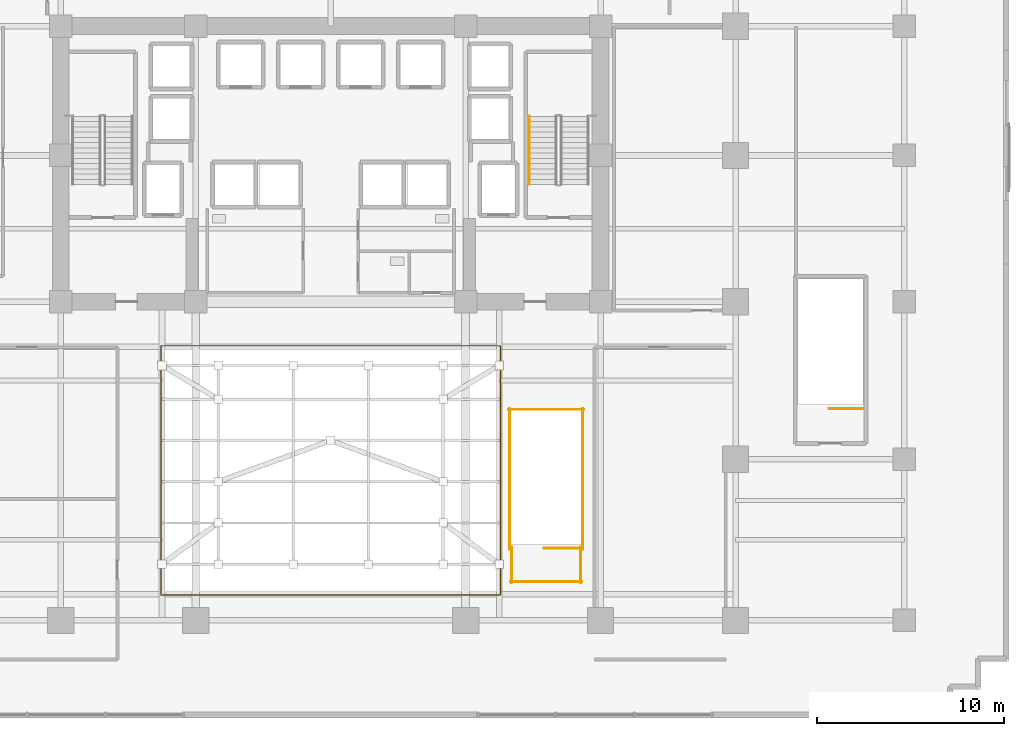
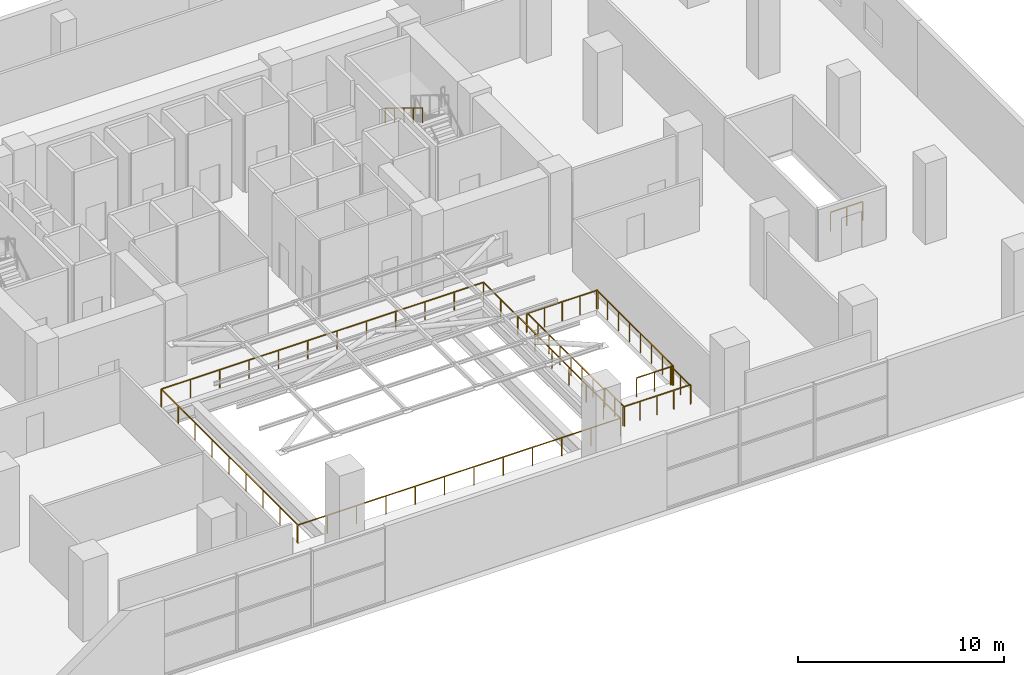
# One storey, part 20 of 22: 10 railings.
"""IFC4 building model written with IfcOpenShell, lengths in metres."""

from ifc_helpers import new_model, si_unit, direction, frame, origin, origin_2d, place, context, subcontext, project, spatial, rectangle, extrude, material, type_object, element, save


model = new_model("IFC4")

# Units and contexts
model_context = context("Model", 3, precision=1e-05, world=origin(), true_north=direction((0.0, 1.0)))
body_context = subcontext(model_context, "Body", "Model", "MODEL_VIEW")
ifc_project = project(units=[si_unit("LENGTHUNIT", "METRE"), si_unit("AREAUNIT", "SQUARE_METRE"), si_unit("VOLUMEUNIT", "CUBIC_METRE"), si_unit("PLANEANGLEUNIT", "RADIAN"), si_unit("MASSUNIT", "GRAM", prefix="KILO")], contexts=[model_context])

# Site, building, storey
site_placement = place(None, origin())
site = spatial("IfcSite", under=ifc_project, at=site_placement, CompositionType="ELEMENT")
building_placement = place(site_placement, origin())
building = spatial("IfcBuilding", under=site, at=building_placement, Name="Zarnakvel Exchange Tower", CompositionType="ELEMENT")
storey_placement = place(building_placement, frame((0.0, 0.0, 22.60009765625)))
storey = spatial("IfcBuildingStorey", under=building, at=storey_placement, Name="L05", CompositionType="ELEMENT", Elevation=22.60009765625)

# Railings
ifc_material_1 = material(Name="Architectural Bronze Anodised Aluminium", Category="aluminium")
railing_type_1 = type_object("IfcRailingType", Name="GR-03", PredefinedType="GUARDRAIL", material=ifc_material_1)
railing_1_placement = place(storey_placement, frame((-9.050048828125, -16.85009765625, 0.0)))
element("IfcRailing", 1, at=railing_1_placement, inside=storey, type_object=railing_type_1, Name="L05 Atrium Void Perimeter Balustrade", PredefinedType="GUARDRAIL", context=body_context, shape_type="SweptSolid", body=[
    extrude(rectangle(XDim=0.048095703125, YDim=0.048095703125, at=origin_2d()), frame((0.0, 0.0, 1.076171875), z_axis=(1.0, 0.0, 0.0), x_axis=(0.0, 1.0, 0.0)), (0.0, 0.0, 1.0), 18.10009765625),
    extrude(rectangle(XDim=0.048095703125, YDim=0.048095703125, at=origin_2d()), frame((18.10009765625, 0.0, 1.076171875), z_axis=(0.0, 1.0, 0.0), x_axis=(-1.0, 0.0, 0.0)), (0.0, 0.0, 1.0), 13.300048828125),
    extrude(rectangle(XDim=0.048095703125, YDim=0.048095703125, at=origin_2d()), frame((18.10009765625, 13.300048828125, 1.076171875), z_axis=(-1.0, 0.0, 0.0), x_axis=(0.0, -1.0, 0.0)), (0.0, 0.0, 1.0), 18.10009765625),
    extrude(rectangle(XDim=0.048095703125, YDim=0.048095703125, at=origin_2d()), frame((0.0, 13.300048828125, 1.076171875), z_axis=(0.0, -1.0, 0.0), x_axis=(1.0, 0.0, 0.0)), (0.0, 0.0, 1.0), 13.219970703125),
    extrude(rectangle(XDim=0.0419921875, YDim=0.0419921875, at=origin_2d()), origin(), (0.0, 0.0, 1.0), 1.052001953125),
    extrude(rectangle(XDim=0.0419921875, YDim=0.0419921875, at=origin_2d()), frame((1.6455078125, 0.0, 0.0)), (0.0, 0.0, 1.0), 1.052001953125),
    extrude(rectangle(XDim=0.0419921875, YDim=0.0419921875, at=origin_2d()), frame((3.291015625, 0.0, 0.0)), (0.0, 0.0, 1.0), 1.052001953125),
    extrude(rectangle(XDim=0.0419921875, YDim=0.0419921875, at=origin_2d()), frame((4.936279296875, 0.0, 0.0)), (0.0, 0.0, 1.0), 1.052001953125),
    extrude(rectangle(XDim=0.0419921875, YDim=0.0419921875, at=origin_2d()), frame((6.581787109375, 0.0, 0.0)), (0.0, 0.0, 1.0), 1.052001953125),
    extrude(rectangle(XDim=0.0419921875, YDim=0.0419921875, at=origin_2d()), frame((8.227294921875, 0.0, 0.0)), (0.0, 0.0, 1.0), 1.052001953125),
    extrude(rectangle(XDim=0.0419921875, YDim=0.0419921875, at=origin_2d()), frame((9.872802734375, 0.0, 0.0)), (0.0, 0.0, 1.0), 1.052001953125),
    extrude(rectangle(XDim=0.0419921875, YDim=0.0419921875, at=origin_2d()), frame((11.518310546875, 0.0, 0.0)), (0.0, 0.0, 1.0), 1.052001953125),
    extrude(rectangle(XDim=0.0419921875, YDim=0.0419921875, at=origin_2d()), frame((13.163818359375, 0.0, 0.0)), (0.0, 0.0, 1.0), 1.052001953125),
    extrude(rectangle(XDim=0.0419921875, YDim=0.0419921875, at=origin_2d()), frame((14.80908203125, 0.0, 0.0)), (0.0, 0.0, 1.0), 1.052001953125),
    extrude(rectangle(XDim=0.0419921875, YDim=0.0419921875, at=origin_2d()), frame((16.45458984375, 0.0, 0.0)), (0.0, 0.0, 1.0), 1.052001953125),
    extrude(rectangle(XDim=0.0419921875, YDim=0.0419921875, at=origin_2d()), frame((18.10009765625, 0.0, 0.0)), (0.0, 0.0, 1.0), 1.052001953125),
    extrude(rectangle(XDim=0.0419921875, YDim=0.0419921875, at=origin_2d()), frame((18.10009765625, 1.66259765625, 0.0)), (0.0, 0.0, 1.0), 1.052001953125),
    extrude(rectangle(XDim=0.0419921875, YDim=0.0419921875, at=origin_2d()), frame((18.10009765625, 3.324951171875, 0.0)), (0.0, 0.0, 1.0), 1.052001953125),
    extrude(rectangle(XDim=0.0419921875, YDim=0.0419921875, at=origin_2d()), frame((18.10009765625, 4.987548828125, 0.0)), (0.0, 0.0, 1.0), 1.052001953125),
    extrude(rectangle(XDim=0.0419921875, YDim=0.0419921875, at=origin_2d()), frame((18.10009765625, 6.64990234375, 0.0)), (0.0, 0.0, 1.0), 1.052001953125),
    extrude(rectangle(XDim=0.0419921875, YDim=0.0419921875, at=origin_2d()), frame((18.10009765625, 8.3125, 0.0)), (0.0, 0.0, 1.0), 1.052001953125),
    extrude(rectangle(XDim=0.0419921875, YDim=0.0419921875, at=origin_2d()), frame((18.10009765625, 9.97509765625, 0.0)), (0.0, 0.0, 1.0), 1.052001953125),
    extrude(rectangle(XDim=0.0419921875, YDim=0.0419921875, at=origin_2d()), frame((18.10009765625, 11.637451171875, 0.0)), (0.0, 0.0, 1.0), 1.052001953125),
    extrude(rectangle(XDim=0.0419921875, YDim=0.0419921875, at=origin_2d()), frame((18.10009765625, 13.300048828125, 0.0)), (0.0, 0.0, 1.0), 1.052001953125),
    extrude(rectangle(XDim=0.0419921875, YDim=0.0419921875, at=origin_2d()), frame((16.45458984375, 13.300048828125, 0.0)), (0.0, 0.0, 1.0), 1.052001953125),
    extrude(rectangle(XDim=0.0419921875, YDim=0.0419921875, at=origin_2d()), frame((14.80908203125, 13.300048828125, 0.0)), (0.0, 0.0, 1.0), 1.052001953125),
    extrude(rectangle(XDim=0.0419921875, YDim=0.0419921875, at=origin_2d()), frame((13.163818359375, 13.300048828125, 0.0)), (0.0, 0.0, 1.0), 1.052001953125),
    extrude(rectangle(XDim=0.0419921875, YDim=0.0419921875, at=origin_2d()), frame((11.518310546875, 13.300048828125, 0.0)), (0.0, 0.0, 1.0), 1.052001953125),
    extrude(rectangle(XDim=0.0419921875, YDim=0.0419921875, at=origin_2d()), frame((9.872802734375, 13.300048828125, 0.0)), (0.0, 0.0, 1.0), 1.052001953125),
    extrude(rectangle(XDim=0.0419921875, YDim=0.0419921875, at=origin_2d()), frame((8.227294921875, 13.300048828125, 0.0)), (0.0, 0.0, 1.0), 1.052001953125),
    extrude(rectangle(XDim=0.0419921875, YDim=0.0419921875, at=origin_2d()), frame((6.581787109375, 13.300048828125, 0.0)), (0.0, 0.0, 1.0), 1.052001953125),
    extrude(rectangle(XDim=0.0419921875, YDim=0.0419921875, at=origin_2d()), frame((4.936279296875, 13.300048828125, 0.0)), (0.0, 0.0, 1.0), 1.052001953125),
    extrude(rectangle(XDim=0.0419921875, YDim=0.0419921875, at=origin_2d()), frame((3.291015625, 13.300048828125, 0.0)), (0.0, 0.0, 1.0), 1.052001953125),
    extrude(rectangle(XDim=0.0419921875, YDim=0.0419921875, at=origin_2d()), frame((1.6455078125, 13.300048828125, 0.0)), (0.0, 0.0, 1.0), 1.052001953125),
    extrude(rectangle(XDim=0.0419921875, YDim=0.0419921875, at=origin_2d()), frame((0.0, 13.300048828125, 0.0)), (0.0, 0.0, 1.0), 1.052001953125),
    extrude(rectangle(XDim=0.0419921875, YDim=0.0419921875, at=origin_2d()), frame((0.0, 11.6474609375, 0.0)), (0.0, 0.0, 1.0), 1.052001953125),
    extrude(rectangle(XDim=0.0419921875, YDim=0.0419921875, at=origin_2d()), frame((0.0, 9.9951171875, 0.0)), (0.0, 0.0, 1.0), 1.052001953125),
    extrude(rectangle(XDim=0.0419921875, YDim=0.0419921875, at=origin_2d()), frame((0.0, 8.342529296875, 0.0)), (0.0, 0.0, 1.0), 1.052001953125),
    extrude(rectangle(XDim=0.0419921875, YDim=0.0419921875, at=origin_2d()), frame((0.0, 6.68994140625, 0.0)), (0.0, 0.0, 1.0), 1.052001953125),
    extrude(rectangle(XDim=0.0419921875, YDim=0.0419921875, at=origin_2d()), frame((0.0, 5.03759765625, 0.0)), (0.0, 0.0, 1.0), 1.052001953125),
    extrude(rectangle(XDim=0.0419921875, YDim=0.0419921875, at=origin_2d()), frame((0.0, 3.385009765625, 0.0)), (0.0, 0.0, 1.0), 1.052001953125),
    extrude(rectangle(XDim=0.0419921875, YDim=0.0419921875, at=origin_2d()), frame((0.0, 1.732666015625, 0.0)), (0.0, 0.0, 1.0), 1.052001953125),
    extrude(rectangle(XDim=0.0419921875, YDim=0.0419921875, at=origin_2d()), frame((0.0, 0.080078125, 0.0)), (0.0, 0.0, 1.0), 1.052001953125),
])
ifc_material_2 = material(Name="Brushed Stainless Steel", Category="steel")
railing_type_2 = type_object("IfcRailingType", Name="HR-01", PredefinedType="HANDRAIL", material=ifc_material_2)
railing_2_placement = place(storey_placement, frame((10.590087890625, 8.68994140625, 2.5712890625)))
element("IfcRailing", 2, at=railing_2_placement, inside=storey, type_object=railing_type_2, Name="L05 ST-02 stair handrail 2", PredefinedType="HANDRAIL", context=body_context, shape_type="SweptSolid", body=[
    extrude(rectangle(XDim=0.048095703125, YDim=0.048095703125, at=origin_2d()), frame((0.0, 0.0, 0.8759765625), z_axis=(0.0, -0.852850264322, 0.5221555579), x_axis=(1.0, 0.0, 0.0)), (0.0, 0.0, 1.0), 4.267822265625),
    extrude(rectangle(XDim=0.0419921875, YDim=0.0419921875, at=origin_2d()), origin(), (0.0, 0.0, 1.0), 0.851806640625),
    extrude(rectangle(XDim=0.0419921875, YDim=0.0419921875, at=origin_2d()), frame((0.0, -0.909912109375, 0.55712890625)), (0.0, 0.0, 1.0), 0.851806640625),
    extrude(rectangle(XDim=0.0419921875, YDim=0.0419921875, at=origin_2d()), frame((0.0, -1.81982421875, 1.1142578125)), (0.0, 0.0, 1.0), 0.851806640625),
    extrude(rectangle(XDim=0.0419921875, YDim=0.0419921875, at=origin_2d()), frame((0.0, -2.72998046875, 1.67138671875)), (0.0, 0.0, 1.0), 0.851806640625),
    extrude(rectangle(XDim=0.0419921875, YDim=0.0419921875, at=origin_2d()), frame((0.0, -3.639892578125, 2.228515625)), (0.0, 0.0, 1.0), 0.851806640625),
])
railing_type_3 = type_object("IfcRailingType", Name="SG-01", PredefinedType="GUARDRAIL", material=ifc_material_1)
railing_3_placement = place(storey_placement, frame((28.39990234375, -6.89990234375, 0.0)))
element("IfcRailing", 3, at=railing_3_placement, inside=storey, type_object=railing_type_3, Name="L05 ST-04 top well guard 1", PredefinedType="GUARDRAIL", context=body_context, shape_type="SweptSolid", body=[
    extrude(rectangle(XDim=0.048095703125, YDim=0.048095703125, at=origin_2d()), frame((0.0, 0.0, 1.1259765625), z_axis=(-1.0, 0.0, 0.0), x_axis=(0.0, -1.0, 0.0)), (0.0, 0.0, 1.0), 1.809814453125),
    extrude(rectangle(XDim=0.0419921875, YDim=0.0419921875, at=origin_2d()), origin(), (0.0, 0.0, 1.0), 1.101806640625),
    extrude(rectangle(XDim=0.0419921875, YDim=0.0419921875, at=origin_2d()), frame((-0.90478515625, 0.0, 0.0)), (0.0, 0.0, 1.0), 1.101806640625),
    extrude(rectangle(XDim=0.0419921875, YDim=0.0419921875, at=origin_2d()), frame((-1.809814453125, 0.0, 0.0)), (0.0, 0.0, 1.0), 1.101806640625),
])
railing_4_placement = place(storey_placement, frame((13.39990234375, -14.35009765625, 0.0)))
element("IfcRailing", 4, at=railing_4_placement, inside=storey, type_object=railing_type_3, Name="L05 ST-06 top well guard 1", PredefinedType="GUARDRAIL", context=body_context, shape_type="SweptSolid", body=[
    extrude(rectangle(XDim=0.048095703125, YDim=0.048095703125, at=origin_2d()), frame((0.0, 0.0, 1.1259765625), z_axis=(-1.0, 0.0, 0.0), x_axis=(0.0, -1.0, 0.0)), (0.0, 0.0, 1.0), 2.0),
    extrude(rectangle(XDim=0.0419921875, YDim=0.0419921875, at=origin_2d()), origin(), (0.0, 0.0, 1.0), 1.101806640625),
    extrude(rectangle(XDim=0.0419921875, YDim=0.0419921875, at=origin_2d()), frame((-1.0, 0.0, 0.0)), (0.0, 0.0, 1.0), 1.101806640625),
    extrude(rectangle(XDim=0.0419921875, YDim=0.0419921875, at=origin_2d()), frame((-2.0, 0.0, 0.0)), (0.0, 0.0, 1.0), 1.101806640625),
])
for number, where, name in (
    (5, (13.449951171875, -14.39990234375, 0.0), "L05 ST-06 top well guard 2"),
    (6, (9.550048828125, -14.39990234375, 0.0), "L05 ST-06 top well guard 3"),
):
    element("IfcRailing", number, at=place(storey_placement, frame(where)), inside=storey, type_object=railing_type_3, Name=name, PredefinedType="GUARDRAIL", context=body_context, shape_type="SweptSolid", body=[
        extrude(rectangle(XDim=0.048095703125, YDim=0.048095703125, at=origin_2d()), frame((0.0, 0.0, 1.1259765625), z_axis=(0.0, 1.0, 0.0), x_axis=(-1.0, 0.0, 0.0)), (0.0, 0.0, 1.0), 7.5),
        extrude(rectangle(XDim=0.0419921875, YDim=0.0419921875, at=origin_2d()), origin(), (0.0, 0.0, 1.0), 1.101806640625),
        extrude(rectangle(XDim=0.0419921875, YDim=0.0419921875, at=origin_2d()), frame((0.0, 1.071533203125, 0.0)), (0.0, 0.0, 1.0), 1.101806640625),
        extrude(rectangle(XDim=0.0419921875, YDim=0.0419921875, at=origin_2d()), frame((0.0, 2.142822265625, 0.0)), (0.0, 0.0, 1.0), 1.101806640625),
        extrude(rectangle(XDim=0.0419921875, YDim=0.0419921875, at=origin_2d()), frame((0.0, 3.21435546875, 0.0)), (0.0, 0.0, 1.0), 1.101806640625),
        extrude(rectangle(XDim=0.0419921875, YDim=0.0419921875, at=origin_2d()), frame((0.0, 4.28564453125, 0.0)), (0.0, 0.0, 1.0), 1.101806640625),
        extrude(rectangle(XDim=0.0419921875, YDim=0.0419921875, at=origin_2d()), frame((0.0, 5.357177734375, 0.0)), (0.0, 0.0, 1.0), 1.101806640625),
        extrude(rectangle(XDim=0.0419921875, YDim=0.0419921875, at=origin_2d()), frame((0.0, 6.428466796875, 0.0)), (0.0, 0.0, 1.0), 1.101806640625),
        extrude(rectangle(XDim=0.0419921875, YDim=0.0419921875, at=origin_2d()), frame((0.0, 7.5, 0.0)), (0.0, 0.0, 1.0), 1.101806640625),
    ])
railing_5_placement = place(storey_placement, frame((13.5, -6.949951171875, 0.0)))
element("IfcRailing", 7, at=railing_5_placement, inside=storey, type_object=railing_type_3, Name="L05 ST-06 top well guard 4", PredefinedType="GUARDRAIL", context=body_context, shape_type="SweptSolid", body=[
    extrude(rectangle(XDim=0.048095703125, YDim=0.048095703125, at=origin_2d()), frame((0.0, 0.0, 1.1259765625), z_axis=(-1.0, 0.0, 0.0), x_axis=(0.0, -1.0, 0.0)), (0.0, 0.0, 1.0), 4.0),
    extrude(rectangle(XDim=0.0419921875, YDim=0.0419921875, at=origin_2d()), origin(), (0.0, 0.0, 1.0), 1.101806640625),
    extrude(rectangle(XDim=0.0419921875, YDim=0.0419921875, at=origin_2d()), frame((-1.0, 0.0, 0.0)), (0.0, 0.0, 1.0), 1.101806640625),
    extrude(rectangle(XDim=0.0419921875, YDim=0.0419921875, at=origin_2d()), frame((-2.0, 0.0, 0.0)), (0.0, 0.0, 1.0), 1.101806640625),
    extrude(rectangle(XDim=0.0419921875, YDim=0.0419921875, at=origin_2d()), frame((-3.0, 0.0, 0.0)), (0.0, 0.0, 1.0), 1.101806640625),
    extrude(rectangle(XDim=0.0419921875, YDim=0.0419921875, at=origin_2d()), frame((-4.0, 0.0, 0.0)), (0.0, 0.0, 1.0), 1.101806640625),
])
for number, where, name in (
    (8, (13.35009765625, -16.199951171875, 0.0), "L05 ST-06 top well guard 5"),
    (9, (9.64990234375, -16.199951171875, 0.0), "L05 ST-06 top well guard 6"),
):
    element("IfcRailing", number, at=place(storey_placement, frame(where)), inside=storey, type_object=railing_type_3, Name=name, PredefinedType="GUARDRAIL", context=body_context, shape_type="SweptSolid", body=[
        extrude(rectangle(XDim=0.048095703125, YDim=0.048095703125, at=origin_2d()), frame((0.0, 0.0, 1.1259765625), z_axis=(0.0, 1.0, 0.0), x_axis=(-1.0, 0.0, 0.0)), (0.0, 0.0, 1.0), 1.89990234375),
        extrude(rectangle(XDim=0.0419921875, YDim=0.0419921875, at=origin_2d()), origin(), (0.0, 0.0, 1.0), 1.101806640625),
        extrude(rectangle(XDim=0.0419921875, YDim=0.0419921875, at=origin_2d()), frame((0.0, 0.949951171875, 0.0)), (0.0, 0.0, 1.0), 1.101806640625),
        extrude(rectangle(XDim=0.0419921875, YDim=0.0419921875, at=origin_2d()), frame((0.0, 1.89990234375, 0.0)), (0.0, 0.0, 1.0), 1.101806640625),
    ])
railing_6_placement = place(storey_placement, frame((13.39990234375, -16.14990234375, 0.0)))
element("IfcRailing", 10, at=railing_6_placement, inside=storey, type_object=railing_type_3, Name="L05 ST-06 top well guard 7", PredefinedType="GUARDRAIL", context=body_context, shape_type="SweptSolid", body=[
    extrude(rectangle(XDim=0.048095703125, YDim=0.048095703125, at=origin_2d()), frame((0.0, 0.0, 1.1259765625), z_axis=(-1.0, 0.0, 0.0), x_axis=(0.0, -1.0, 0.0)), (0.0, 0.0, 1.0), 3.7998046875),
    extrude(rectangle(XDim=0.0419921875, YDim=0.0419921875, at=origin_2d()), origin(), (0.0, 0.0, 1.0), 1.101806640625),
    extrude(rectangle(XDim=0.0419921875, YDim=0.0419921875, at=origin_2d()), frame((-0.949951171875, 0.0, 0.0)), (0.0, 0.0, 1.0), 1.101806640625),
    extrude(rectangle(XDim=0.0419921875, YDim=0.0419921875, at=origin_2d()), frame((-1.89990234375, 0.0, 0.0)), (0.0, 0.0, 1.0), 1.101806640625),
    extrude(rectangle(XDim=0.0419921875, YDim=0.0419921875, at=origin_2d()), frame((-2.849853515625, 0.0, 0.0)), (0.0, 0.0, 1.0), 1.101806640625),
    extrude(rectangle(XDim=0.0419921875, YDim=0.0419921875, at=origin_2d()), frame((-3.7998046875, 0.0, 0.0)), (0.0, 0.0, 1.0), 1.101806640625),
])

save(model, "model.ifc")
